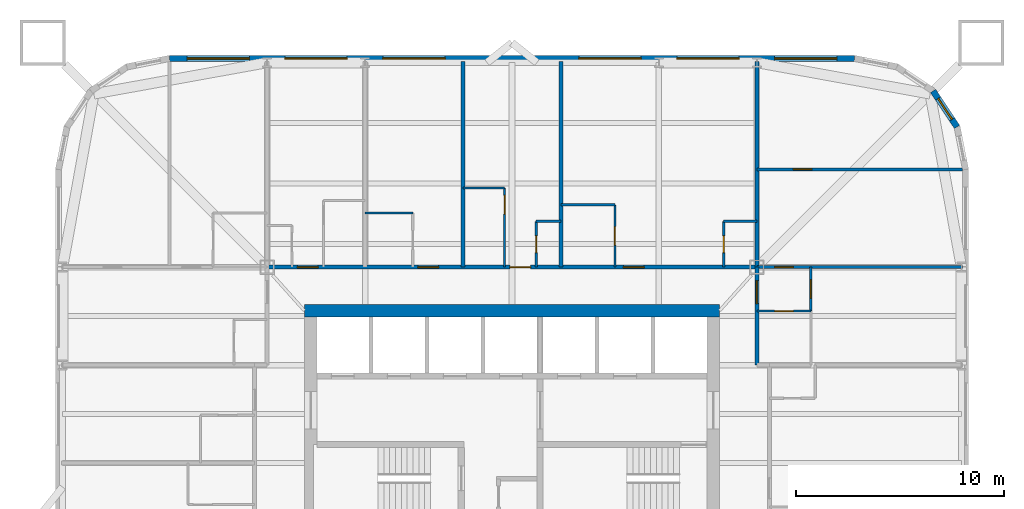
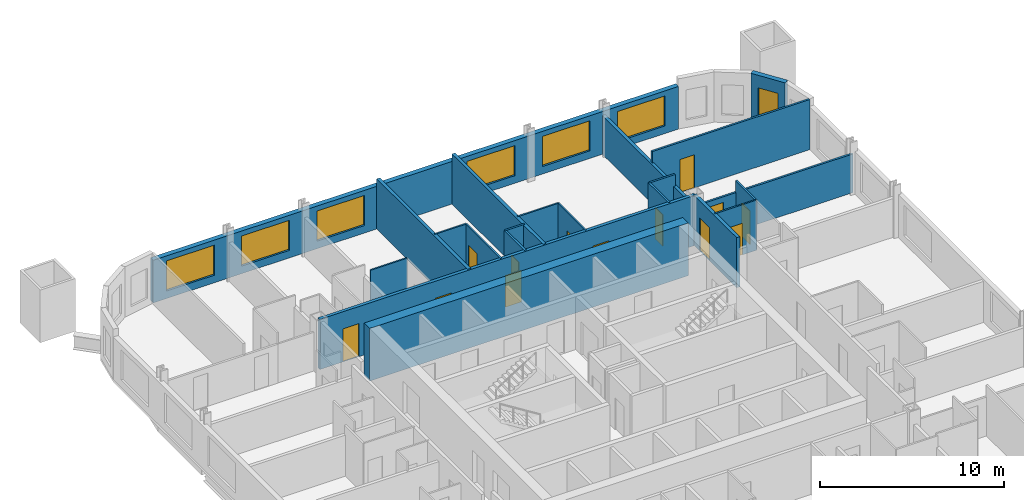
# One storey, part 7 of 9: 21 walls, 13 doors, 7 windows, 20 openings.
"""IFC4 building model written with IfcOpenShell, lengths in metres."""

import ifcopenshell
import ifcopenshell.guid

model = None  # the IFC model being written
_history = None  # IfcOwnerHistory: only IFC2X3 demands one
_inside = {}  # id of a spatial element -> (the spatial element, [elements in it])
_under = {}  # id of a project, library or spatial element -> (it, [spatial elements below it])
_declared = {}  # id of a project -> (the project, [libraries it declares])
_typed = {}  # id of a type object -> (the type object, [elements of that type])
_made_of = {}  # id of a material, layer set ... -> (it, [elements and type objects made of it])


def new_model(schema):
    """Start an empty IFC model of exactly this schema.

    Asked for "IFC4X3", IfcOpenShell would pick the latest addendum, in which some entities
    have other attributes; the version numbers below select the first issue.
    IFC2X3 requires an IfcOwnerHistory on every rooted entity: one is made here for all.
    """
    global model, _history
    if schema == "IFC4X3":
        model = ifcopenshell.file(schema_version=(4, 3, 0, 0))
    else:
        model = ifcopenshell.file(schema=schema)
    _inside.clear()
    _under.clear()
    _declared.clear()
    _typed.clear()
    _made_of.clear()
    _history = None
    if model.schema == "IFC2X3":
        org = make("IfcOrganization", Name="unknown")
        user = make(
            "IfcPersonAndOrganization",
            ThePerson=make("IfcPerson", FamilyName="unknown"),
            TheOrganization=org,
        )
        app = make(
            "IfcApplication",
            ApplicationDeveloper=org,
            Version="unknown",
            ApplicationFullName="unknown",
            ApplicationIdentifier="unknown",
        )
        _history = make(
            "IfcOwnerHistory",
            OwningUser=user,
            OwningApplication=app,
            ChangeAction="ADDED",
            CreationDate=0,
        )
    return model


def make(cls, **values):
    """One entity of the class cls with the attributes given. An attribute that is None is left unset."""
    return model.create_entity(
        cls, **{name: value for name, value in values.items() if value is not None}
    )


def rooted(cls, **values):
    """An entity with a GlobalId (a new one), such as an element, a storey or a relation."""
    return make(cls, GlobalId=ifcopenshell.guid.new(), OwnerHistory=_history, **values)


def si_unit(unit_type, name, prefix=None):
    """IfcSIUnit, for example si_unit("LENGTHUNIT", "METRE", prefix="MILLI")."""
    return make("IfcSIUnit", UnitType=unit_type, Prefix=prefix, Name=name)


def assignment(units):
    """IfcUnitAssignment: the units of a project."""
    return None if units is None else make("IfcUnitAssignment", Units=units)


def point(xyz):
    """IfcCartesianPoint."""
    return None if xyz is None else make("IfcCartesianPoint", Coordinates=xyz)


def direction(xyz):
    """IfcDirection."""
    return None if xyz is None else make("IfcDirection", DirectionRatios=xyz)


def frame(location, z_axis=None, x_axis=None):
    """IfcAxis2Placement3D, a coordinate frame: its origin and axes. An axis left out is left unset."""
    return make(
        "IfcAxis2Placement3D",
        Location=point(location),
        Axis=direction(z_axis),
        RefDirection=direction(x_axis),
    )


def frame_2d(location, x_axis=None):
    """IfcAxis2Placement2D, a coordinate frame in the plane: its origin and x axis."""
    return make(
        "IfcAxis2Placement2D", Location=point(location), RefDirection=direction(x_axis)
    )


def origin():
    """The frame at (0, 0, 0) with its axes left unset."""
    return frame((0.0, 0.0, 0.0))


def place(relative_to, where):
    """IfcLocalPlacement: puts the frame where relative to a parent placement (None: the world)."""
    return make(
        "IfcLocalPlacement", PlacementRelTo=relative_to, RelativePlacement=where
    )


def context(
    kind, dimensions, precision=None, world=None, true_north=None, identifier=None
):
    """IfcGeometricRepresentationContext, for example the 3D "Model" context."""
    return make(
        "IfcGeometricRepresentationContext",
        ContextIdentifier=identifier,
        ContextType=kind,
        CoordinateSpaceDimension=dimensions,
        Precision=precision,
        WorldCoordinateSystem=world,
        TrueNorth=true_north,
    )


def subcontext(parent, identifier, kind, view, scale=None):
    """IfcGeometricRepresentationSubContext, for example "Body" below "Model"."""
    return make(
        "IfcGeometricRepresentationSubContext",
        ContextIdentifier=identifier,
        ContextType=kind,
        ParentContext=parent,
        TargetScale=scale,
        TargetView=view,
    )


def project(units=None, contexts=None):
    """IfcProject with its units and contexts."""
    return rooted(
        "IfcProject",
        Name="project",
        RepresentationContexts=contexts,
        UnitsInContext=assignment(units),
    )


def spatial(cls, under=None, at=None, **own):
    """A site, building, storey or space (cls), placed at a placement, below another one or the project."""
    s = rooted(cls, ObjectPlacement=at, **own)
    if under is not None:
        _under.setdefault(under.id(), (under, []))[1].append(s)
    return s


def profile(cls, at=None, kind="AREA", **sizes):
    """A parametric profile (cls). Its sizes go by their IFC names, for example OverallWidth=200.0."""
    return make(cls, ProfileType=kind, Position=at, **sizes)


def rectangle(**sizes):
    """IfcRectangleProfileDef."""
    return profile("IfcRectangleProfileDef", **sizes)


def extrude(swept, where, along, depth):
    """IfcExtrudedAreaSolid: the profile swept, set in the frame where, extruded along a direction by depth."""
    return make(
        "IfcExtrudedAreaSolid",
        SweptArea=swept,
        Position=where,
        ExtrudedDirection=direction(along),
        Depth=depth,
    )


def shape(context_of_items, identifier, shape_type, items):
    """IfcShapeRepresentation: the items that make up one representation, for example the "Body"."""
    return make(
        "IfcShapeRepresentation",
        ContextOfItems=context_of_items,
        RepresentationIdentifier=identifier,
        RepresentationType=shape_type,
        Items=items,
    )


def material(Name=None, Category=None):
    """IfcMaterial."""
    return make("IfcMaterial", Name=Name, Category=Category)


def layer(
    of_material, thickness, ventilated=None, Name=None, Category=None, Priority=None
):
    """IfcMaterialLayer: one layer of a wall or slab, of a material (None: an air gap)."""
    return make(
        "IfcMaterialLayer",
        Material=of_material,
        LayerThickness=thickness,
        IsVentilated=ventilated,
        Name=Name,
        Category=Category,
        Priority=Priority,
    )


def layer_set(layers, Name=None):
    """IfcMaterialLayerSet."""
    return make("IfcMaterialLayerSet", MaterialLayers=layers, LayerSetName=Name)


def made_of(thing, what):
    """Note that an element or type object is made of a material, layer set ...; save() writes the relation."""
    if what is not None:
        _made_of.setdefault(what.id(), (what, []))[1].append(thing)
    return thing


def type_object(cls, material=None, **own):
    """A type object (cls), such as IfcWallType, which elements share."""
    return made_of(rooted(cls, **own), material)


def element(
    cls,
    number,
    at=None,
    inside=None,
    cuts=None,
    type_object=None,
    material=None,
    context=None,
    identifier="Body",
    shape_type=None,
    held_by="IfcProductDefinitionShape",
    body=None,
    shapes=None,
    **own,
):
    """One element of the class cls, such as IfcWall. Its Tag is "e" and its number.

    at: its placement. inside: the storey or other place that contains it. cuts: it is an
    opening in that element (IfcRelVoidsElement). A single representation is given by context,
    identifier, shape_type and body (its items); several are given by shapes. held_by: the class
    of the entity that holds the representations. save() writes the other relations.
    """
    e = rooted(cls, Tag="e%d" % number, ObjectPlacement=at, **own)
    if body is not None:
        shapes = [shape(context, identifier, shape_type, body)]
    if shapes is not None:
        e.Representation = make(held_by, Representations=shapes)
    if inside is not None:
        _inside.setdefault(inside.id(), (inside, []))[1].append(e)
    if cuts is not None:
        rooted(
            "IfcRelVoidsElement", RelatingBuildingElement=cuts, RelatedOpeningElement=e
        )
    if type_object is not None:
        _typed.setdefault(type_object.id(), (type_object, []))[1].append(e)
    return made_of(e, material)


def fill(opening, filler):
    """IfcRelFillsElement: the door or window that sits in an opening."""
    return rooted(
        "IfcRelFillsElement",
        RelatingOpeningElement=opening,
        RelatedBuildingElement=filler,
    )


def aggregate(whole, parts):
    """IfcRelAggregates: a whole, such as a stair, and the parts it consists of."""
    return rooted("IfcRelAggregates", RelatingObject=whole, RelatedObjects=parts)


def save(model, path):
    """Write the relations noted so far, then the file.

    IfcRelAggregates (storeys below a building ...), IfcRelContainedInSpatialStructure (elements
    in a storey), IfcRelDefinesByType, IfcRelAssociatesMaterial and IfcRelDeclares: one each for
    every whole, place, type object, material and project.
    """
    for whole, parts in _under.values():
        aggregate(whole, parts)
    for where, things in _inside.values():
        rooted(
            "IfcRelContainedInSpatialStructure",
            RelatedElements=things,
            RelatingStructure=where,
        )
    for kind, things in _typed.values():
        rooted("IfcRelDefinesByType", RelatedObjects=things, RelatingType=kind)
    for what, things in _made_of.values():
        rooted("IfcRelAssociatesMaterial", RelatedObjects=things, RelatingMaterial=what)
    for by, libraries in _declared.values():
        rooted("IfcRelDeclares", RelatingContext=by, RelatedDefinitions=libraries)
    model.write(path)


model = new_model("IFC4")

# Units and contexts
model_context = context("Model", 3, precision=1e-05, world=origin(), true_north=direction((0.0, 1.0)))
body_context = subcontext(model_context, "Body", "Model", "MODEL_VIEW")
ifc_project = project(units=[si_unit("LENGTHUNIT", "METRE"), si_unit("AREAUNIT", "SQUARE_METRE"), si_unit("VOLUMEUNIT", "CUBIC_METRE"), si_unit("PLANEANGLEUNIT", "RADIAN"), si_unit("MASSUNIT", "GRAM", prefix="KILO")], contexts=[model_context])

# Site, building, storey
site_placement = place(None, origin())
site = spatial("IfcSite", under=ifc_project, at=site_placement, CompositionType="ELEMENT")
building_placement = place(site_placement, origin())
building = spatial("IfcBuilding", under=site, at=building_placement, Name="Turquesa Mirador Hotel Tower", CompositionType="ELEMENT")
storey_placement = place(building_placement, frame((0.0, 0.0, 56.5)))
storey = spatial("IfcBuildingStorey", under=building, at=storey_placement, Name="L14", CompositionType="ELEMENT", Elevation=56.5)

# Walls
ifc_material_1 = material(Name="Gypsum board on steel studs", Category="steel")
ifc_layer_1 = layer(ifc_material_1, 0.10009765625)
ifc_layer_set_1 = layer_set([ifc_layer_1], Name="BATHROOM WALL 100")
wall_type_1 = type_object("IfcWallType", Name="BATHROOM WALL 100", PredefinedType="PARTITIONING", material=ifc_layer_set_1)
wall_1_placement = place(storey_placement, frame((47.919921875, 59.39990234375, 0.0), z_axis=(0.0, 0.0, 1.0), x_axis=(1.0, 0.0, 0.0)))
element("IfcWall", 1, at=wall_1_placement, inside=storey, type_object=wall_type_1, Name="Partition L14 033", PredefinedType="PARTITIONING", context=body_context, shape_type="SweptSolid", body=[
    extrude(rectangle(XDim=2.300048828125, YDim=0.10009765625, at=frame_2d((1.14990234375, 0.0))), origin(), (0.0, 0.0, 1.0), 3.330078125),
])
wall_2_placement = place(storey_placement, frame((57.360107421875, 59.800048828125, 0.0), z_axis=(0.0, 0.0, 1.0), x_axis=(1.0, 0.0, 0.0)))
element("IfcWall", 2, at=wall_2_placement, inside=storey, type_object=wall_type_1, Name="Partition L14 034", PredefinedType="PARTITIONING", context=body_context, shape_type="SweptSolid", body=[
    extrude(rectangle(XDim=2.599853515625, YDim=0.10009765625, at=frame_2d((1.2998046875, 0.0))), origin(), (0.0, 0.0, 1.0), 3.330078125),
])
wall_3_placement = place(storey_placement, frame((52.639892578125, 60.60009765625, 0.0), z_axis=(0.0, 0.0, 1.0), x_axis=(1.0, 0.0, 0.0)))
element("IfcWall", 3, at=wall_3_placement, inside=storey, type_object=wall_type_1, Name="Partition L14 036", PredefinedType="PARTITIONING", context=body_context, shape_type="SweptSolid", body=[
    extrude(rectangle(XDim=2.0, YDim=0.10009765625, at=frame_2d((1.0, 0.0))), origin(), (0.0, 0.0, 1.0), 3.330078125),
])

# Wall, opening, door
wall_4_placement = place(storey_placement, frame((66.800048828125, 54.679931640625, 0.0), z_axis=(0.0, 0.0, 1.0), x_axis=(1.0, 0.0, 0.0)))
wall_4 = element("IfcWall", 4, at=wall_4_placement, inside=storey, type_object=wall_type_1, Name="Partition L14 047", PredefinedType="PARTITIONING", context=body_context, shape_type="SweptSolid", body=[
    extrude(rectangle(XDim=2.599853515625, YDim=0.10009765625, at=frame_2d((1.2998046875, 0.0))), origin(), (0.0, 0.0, 1.0), 3.330078125),
])
opening_1_placement = place(wall_4_placement, frame((0.85009765625, 0.0, 0.0)))
opening_1 = element("IfcOpeningElement", 5, at=opening_1_placement, cuts=wall_4, Name="Opening D02", PredefinedType="OPENING", context=body_context, shape_type="SweptSolid", body=[
    extrude(rectangle(XDim=0.89990234375, YDim=2.10009765625, at=frame_2d((0.449951171875, 1.050048828125))), frame((0.0, 0.06005859375, 0.0), z_axis=(0.0, -1.0, 0.0), x_axis=(1.0, 0.0, 0.0)), (0.0, 0.0, 1.0), 0.1201171875),
])
ifc_material_2 = material(Name="Timber veneered door", Category="wood")
door_type_1 = type_object("IfcDoorType", Name="DOOR 900X2100 EN-SUITE", OperationType="SINGLE_SWING_RIGHT", PredefinedType="DOOR", material=ifc_material_2)
door_1_placement = place(opening_1_placement, origin())
door_1 = element("IfcDoor", 6, at=door_1_placement, inside=storey, type_object=door_type_1, Name="Door 1413B", OperationType="SINGLE_SWING_RIGHT", OverallHeight=2.10009765625, OverallWidth=0.89990234375, PredefinedType="DOOR", context=body_context, shape_type="SweptSolid", body=[
    extrude(rectangle(XDim=0.89990234375, YDim=2.10009765625, at=frame_2d((0.449951171875, 1.050048828125))), frame((0.0, 0.02490234375, 0.0), z_axis=(0.0, -1.0, 0.0), x_axis=(1.0, 0.0, 0.0)), (0.0, 0.0, 1.0), 0.050048828125),
])
fill(opening_1, door_1)

wall_5_placement = place(storey_placement, frame((54.639892578125, 56.800048828125, 0.0), z_axis=(0.0, 0.0, 1.0), x_axis=(0.0, 1.0, 0.0)))
wall_5 = element("IfcWall", 7, at=wall_5_placement, inside=storey, type_object=wall_type_1, Name="Partition L14 048", PredefinedType="PARTITIONING", context=body_context, shape_type="SweptSolid", body=[
    extrude(rectangle(XDim=3.800048828125, YDim=0.10009765625, at=frame_2d((1.89990234375, 0.0))), origin(), (0.0, 0.0, 1.0), 3.330078125),
])
opening_2_placement = place(wall_5_placement, frame((2.550048828125, 0.0, 0.0)))
opening_2 = element("IfcOpeningElement", 8, at=opening_2_placement, cuts=wall_5, Name="Opening D02", PredefinedType="OPENING", context=body_context, shape_type="SweptSolid", body=[
    extrude(rectangle(XDim=0.89990234375, YDim=2.10009765625, at=frame_2d((0.449951171875, 1.050048828125))), frame((0.0, 0.06005859375, 0.0), z_axis=(0.0, -1.0, 0.0), x_axis=(1.0, 0.0, 0.0)), (0.0, 0.0, 1.0), 0.1201171875),
])
door_2_placement = place(opening_2_placement, origin())
door_2 = element("IfcDoor", 9, at=door_2_placement, inside=storey, type_object=door_type_1, Name="Door 1403B", OperationType="SINGLE_SWING_RIGHT", OverallHeight=2.10009765625, OverallWidth=0.89990234375, PredefinedType="DOOR", context=body_context, shape_type="SweptSolid", body=[
    extrude(rectangle(XDim=0.89990234375, YDim=2.10009765625, at=frame_2d((0.449951171875, 1.050048828125))), frame((0.0, 0.02490234375, 0.0), z_axis=(0.0, -1.0, 0.0), x_axis=(1.0, 0.0, 0.0)), (0.0, 0.0, 1.0), 0.050048828125),
])
fill(opening_2, door_2)

wall_6_placement = place(storey_placement, frame((59.9599609375, 56.800048828125, 0.0), z_axis=(0.0, 0.0, 1.0), x_axis=(0.0, 1.0, 0.0)))
wall_6 = element("IfcWall", 10, at=wall_6_placement, inside=storey, type_object=wall_type_1, Name="Partition L14 089", PredefinedType="PARTITIONING", context=body_context, shape_type="SweptSolid", body=[
    extrude(rectangle(XDim=3.0, YDim=0.10009765625, at=frame_2d((1.5, 0.0))), origin(), (0.0, 0.0, 1.0), 3.330078125),
])
opening_3_placement = place(wall_6_placement, frame((1.050048828125, 0.0, 0.0)))
opening_3 = element("IfcOpeningElement", 11, at=opening_3_placement, cuts=wall_6, Name="Opening D02", PredefinedType="OPENING", context=body_context, shape_type="SweptSolid", body=[
    extrude(rectangle(XDim=0.89990234375, YDim=2.10009765625, at=frame_2d((0.449951171875, 1.050048828125))), frame((0.0, 0.06005859375, 0.0), z_axis=(0.0, -1.0, 0.0), x_axis=(1.0, 0.0, 0.0)), (0.0, 0.0, 1.0), 0.1201171875),
])
door_3_placement = place(opening_3_placement, origin())
door_3 = element("IfcDoor", 12, at=door_3_placement, inside=storey, type_object=door_type_1, Name="Door 1404B", OperationType="SINGLE_SWING_RIGHT", OverallHeight=2.10009765625, OverallWidth=0.89990234375, PredefinedType="DOOR", context=body_context, shape_type="SweptSolid", body=[
    extrude(rectangle(XDim=0.89990234375, YDim=2.10009765625, at=frame_2d((0.449951171875, 1.050048828125))), frame((0.0, 0.02490234375, 0.0), z_axis=(0.0, -1.0, 0.0), x_axis=(1.0, 0.0, 0.0)), (0.0, 0.0, 1.0), 0.050048828125),
])
fill(opening_3, door_3)

# Wall
ifc_material_3 = material(Name="Concrete C50/60", Category="concrete")
ifc_layer_2 = layer(ifc_material_3, 0.60009765625)
ifc_layer_set_2 = layer_set([ifc_layer_2], Name="CORE WALL 600")
wall_type_2 = type_object("IfcWallType", Name="CORE WALL 600", PredefinedType="SHEAR", material=ifc_layer_set_2)
wall_7_placement = place(storey_placement, frame((45.0, 54.699951171875, 0.0), z_axis=(0.0, 0.0, 1.0), x_axis=(1.0, 0.0, 0.0)))
element("IfcWall", 13, at=wall_7_placement, inside=storey, type_object=wall_type_2, Name="Core wall N", PredefinedType="SHEAR", context=body_context, shape_type="SweptSolid", body=[
    extrude(rectangle(XDim=20.0, YDim=0.60009765625, at=frame_2d((10.0, 0.0))), origin(), (0.0, 0.0, 1.0), 3.5),
])

# Wall, openings, doors
ifc_material_4 = material(Name="Fire-rated gypsum board on steel studs", Category="steel")
ifc_layer_3 = layer(ifc_material_4, 0.199951171875)
ifc_layer_set_3 = layer_set([ifc_layer_3], Name="CORRIDOR WALL 200")
wall_type_3 = type_object("IfcWallType", Name="CORRIDOR WALL 200", PredefinedType="PARTITIONING", material=ifc_layer_set_3)
wall_8_placement = place(storey_placement, frame((43.199951171875, 56.800048828125, 0.0), z_axis=(0.0, 0.0, 1.0), x_axis=(1.0, 0.0, 0.0)))
wall_8 = element("IfcWall", 14, at=wall_8_placement, inside=storey, type_object=wall_type_3, Name="Partition L14 026", PredefinedType="PARTITIONING", context=body_context, shape_type="SweptSolid", body=[
    extrude(rectangle(XDim=23.60009765625, YDim=0.199951171875, at=frame_2d((11.800048828125, 0.0))), origin(), (0.0, 0.0, 1.0), 3.330078125),
])
opening_4_placement = place(wall_8_placement, frame((1.4599609375, 0.0, 0.0)))
opening_4 = element("IfcOpeningElement", 15, at=opening_4_placement, cuts=wall_8, Name="Opening D01", PredefinedType="OPENING", context=body_context, shape_type="SweptSolid", body=[
    extrude(rectangle(XDim=1.0, YDim=2.199951171875, at=frame_2d((0.5, 1.10009765625))), frame((0.0, 0.10986328125, 0.0), z_axis=(0.0, -1.0, 0.0), x_axis=(1.0, 0.0, 0.0)), (0.0, 0.0, 1.0), 0.219970703125),
])
opening_5_placement = place(wall_8_placement, frame((7.27001953125, 0.0, 0.0)))
opening_5 = element("IfcOpeningElement", 16, at=opening_5_placement, cuts=wall_8, Name="Opening D01", PredefinedType="OPENING", context=body_context, shape_type="SweptSolid", body=[
    extrude(rectangle(XDim=1.0, YDim=2.199951171875, at=frame_2d((0.5, 1.10009765625))), frame((0.0, 0.10986328125, 0.0), z_axis=(0.0, -1.0, 0.0), x_axis=(1.0, 0.0, 0.0)), (0.0, 0.0, 1.0), 0.219970703125),
])
opening_6_placement = place(wall_8_placement, frame((11.699951171875, 0.0, 0.0)))
opening_6 = element("IfcOpeningElement", 17, at=opening_6_placement, cuts=wall_8, Name="Opening D05", PredefinedType="OPENING", context=body_context, shape_type="SweptSolid", body=[
    extrude(rectangle(XDim=1.0, YDim=2.10009765625, at=frame_2d((0.5, 1.050048828125))), frame((0.0, 0.10986328125, 0.0), z_axis=(0.0, -1.0, 0.0), x_axis=(1.0, 0.0, 0.0)), (0.0, 0.0, 1.0), 0.219970703125),
])
opening_7_placement = place(wall_8_placement, frame((17.159912109375, 0.0, 0.0)))
opening_7 = element("IfcOpeningElement", 18, at=opening_7_placement, cuts=wall_8, Name="Opening D01", PredefinedType="OPENING", context=body_context, shape_type="SweptSolid", body=[
    extrude(rectangle(XDim=1.0, YDim=2.199951171875, at=frame_2d((0.5, 1.10009765625))), frame((0.0, 0.10986328125, 0.0), z_axis=(0.0, -1.0, 0.0), x_axis=(1.0, 0.0, 0.0)), (0.0, 0.0, 1.0), 0.219970703125),
])
ifc_material_5 = material(Name="Steel fire door", Category="steel")
door_type_2 = type_object("IfcDoorType", Name="DOOR 1000X2100 SERVICE", OperationType="SINGLE_SWING_LEFT", PredefinedType="DOOR", material=ifc_material_5)
door_4_placement = place(opening_6_placement, origin())
door_4 = element("IfcDoor", 19, at=door_4_placement, inside=storey, type_object=door_type_2, Name="Door 1403", OperationType="SINGLE_SWING_LEFT", OverallHeight=2.10009765625, OverallWidth=1.0, PredefinedType="DOOR", context=body_context, shape_type="SweptSolid", body=[
    extrude(rectangle(XDim=1.0, YDim=2.10009765625, at=frame_2d((0.5, 1.050048828125))), frame((0.0, 0.02490234375, 0.0), z_axis=(0.0, -1.0, 0.0), x_axis=(1.0, 0.0, 0.0)), (0.0, 0.0, 1.0), 0.050048828125),
])
fill(opening_6, door_4)
ifc_material_6 = material(Name="Timber veneered fire door", Category="wood")
door_type_3 = type_object("IfcDoorType", Name="DOOR 1000X2200 GUEST ENTRY", OperationType="SINGLE_SWING_LEFT", PredefinedType="DOOR", material=ifc_material_6)
door_5_placement = place(opening_4_placement, origin())
door_5 = element("IfcDoor", 20, at=door_5_placement, inside=storey, type_object=door_type_3, Name="Door 1401", OperationType="SINGLE_SWING_LEFT", OverallHeight=2.199951171875, OverallWidth=1.0, PredefinedType="DOOR", context=body_context, shape_type="SweptSolid", body=[
    extrude(rectangle(XDim=1.0, YDim=2.199951171875, at=frame_2d((0.5, 1.10009765625))), frame((0.0, 0.02490234375, 0.0), z_axis=(0.0, -1.0, 0.0), x_axis=(1.0, 0.0, 0.0)), (0.0, 0.0, 1.0), 0.050048828125),
])
fill(opening_4, door_5)
door_6_placement = place(opening_5_placement, origin())
door_6 = element("IfcDoor", 21, at=door_6_placement, inside=storey, type_object=door_type_3, Name="Door 1402", OperationType="SINGLE_SWING_LEFT", OverallHeight=2.199951171875, OverallWidth=1.0, PredefinedType="DOOR", context=body_context, shape_type="SweptSolid", body=[
    extrude(rectangle(XDim=1.0, YDim=2.199951171875, at=frame_2d((0.5, 1.10009765625))), frame((0.0, 0.02490234375, 0.0), z_axis=(0.0, -1.0, 0.0), x_axis=(1.0, 0.0, 0.0)), (0.0, 0.0, 1.0), 0.050048828125),
])
fill(opening_5, door_6)
door_7_placement = place(opening_7_placement, origin())
door_7 = element("IfcDoor", 22, at=door_7_placement, inside=storey, type_object=door_type_3, Name="Door 1404", OperationType="SINGLE_SWING_LEFT", OverallHeight=2.199951171875, OverallWidth=1.0, PredefinedType="DOOR", context=body_context, shape_type="SweptSolid", body=[
    extrude(rectangle(XDim=1.0, YDim=2.199951171875, at=frame_2d((0.5, 1.10009765625))), frame((0.0, 0.02490234375, 0.0), z_axis=(0.0, -1.0, 0.0), x_axis=(1.0, 0.0, 0.0)), (0.0, 0.0, 1.0), 0.050048828125),
])
fill(opening_7, door_7)

# Wall, opening, door
wall_9_placement = place(storey_placement, frame((66.800048828125, 52.080078125, 0.0), z_axis=(0.0, 0.0, 1.0), x_axis=(0.0, 1.0, 0.0)))
wall_9 = element("IfcWall", 23, at=wall_9_placement, inside=storey, type_object=wall_type_3, Name="Partition L14 075", PredefinedType="PARTITIONING", context=body_context, shape_type="SweptSolid", body=[
    extrude(rectangle(XDim=4.719970703125, YDim=0.199951171875, at=frame_2d((2.35986328125, 0.0))), origin(), (0.0, 0.0, 1.0), 3.330078125),
])
opening_8_placement = place(wall_9_placement, frame((2.9599609375, 0.0, 0.0)))
opening_8 = element("IfcOpeningElement", 24, at=opening_8_placement, cuts=wall_9, Name="Opening D15", PredefinedType="OPENING", context=body_context, shape_type="SweptSolid", body=[
    extrude(rectangle(XDim=1.10009765625, YDim=2.199951171875, at=frame_2d((0.550048828125, 1.10009765625))), frame((0.0, 0.10986328125, 0.0), z_axis=(0.0, -1.0, 0.0), x_axis=(1.0, 0.0, 0.0)), (0.0, 0.0, 1.0), 0.219970703125),
])
ifc_material_7 = material(Name="Timber veneered fire door", Category="wood")
door_type_4 = type_object("IfcDoorType", Name="DOOR 1100X2200 SUITE ENTRY", OperationType="SINGLE_SWING_LEFT", PredefinedType="DOOR", material=ifc_material_7)
door_8_placement = place(opening_8_placement, origin())
door_8 = element("IfcDoor", 25, at=door_8_placement, inside=storey, type_object=door_type_4, Name="Door 1413H", OperationType="SINGLE_SWING_LEFT", OverallHeight=2.199951171875, OverallWidth=1.10009765625, PredefinedType="DOOR", context=body_context, shape_type="SweptSolid", body=[
    extrude(rectangle(XDim=1.10009765625, YDim=2.199951171875, at=frame_2d((0.550048828125, 1.10009765625))), frame((0.0, 0.02490234375, 0.0), z_axis=(0.0, -1.0, 0.0), x_axis=(1.0, 0.0, 0.0)), (0.0, 0.0, 1.0), 0.050048828125),
])
fill(opening_8, door_8)

# Wall, opening, window
ifc_material_8 = material(Name="Limestone cladding on concrete block", Category="masonry")
ifc_layer_4 = layer(ifc_material_8, 0.300048828125)
ifc_layer_set_4 = layer_set([ifc_layer_4], Name="FACADE WALL 300 STONE SCREEN")
wall_type_4 = type_object("IfcWallType", Name="FACADE WALL 300 STONE SCREEN", PredefinedType="SOLIDWALL", material=ifc_layer_set_4)
wall_10_placement = place(storey_placement, frame((76.44287109375, 63.54736328125, 0.0), z_axis=(0.0, 0.0, 1.0), x_axis=(-0.555644460423, 0.831420010345, 0.0)))
wall_10 = element("IfcWall", 26, at=wall_10_placement, inside=storey, type_object=wall_type_4, Name="Facade wall L14 06", PredefinedType="SOLIDWALL", context=body_context, shape_type="SweptSolid", body=[
    extrude(rectangle(XDim=2.08740234375, YDim=0.300048828125, at=frame_2d((1.043701171875, 0.0))), origin(), (0.0, 0.0, 1.0), 3.330078125),
])
opening_9_placement = place(wall_10_placement, frame((0.443603515625, 0.0, 0.5)))
opening_9 = element("IfcOpeningElement", 27, at=opening_9_placement, cuts=wall_10, Name="Opening WN4", PredefinedType="OPENING", context=body_context, shape_type="SweptSolid", body=[
    extrude(rectangle(XDim=1.199951171875, YDim=2.0, at=frame_2d((0.60009765625, 1.0))), frame((0.0, 0.159912109375, 0.0), z_axis=(0.0, -1.0, 0.0), x_axis=(1.0, 0.0, 0.0)), (0.0, 0.0, 1.0), 0.320068359375),
])
ifc_material_9 = material(Name="Ceramic-fritted laminated glass", Category="glass")
window_type_1 = type_object("IfcWindowType", Name="FRITTED CORNER WINDOW 1200X2000", PartitioningType="DOUBLE_PANEL_HORIZONTAL", PredefinedType="WINDOW", material=ifc_material_9)
window_1_placement = place(opening_9_placement, origin())
window_1 = element("IfcWindow", 28, at=window_1_placement, inside=storey, type_object=window_type_1, Name="Window L14", OverallHeight=2.0, OverallWidth=1.199951171875, PartitioningType="SINGLE_PANEL", PredefinedType="WINDOW", context=body_context, shape_type="SweptSolid", body=[
    extrude(rectangle(XDim=1.199951171875, YDim=2.0, at=frame_2d((0.60009765625, 1.0))), frame((0.0, 0.030029296875, 0.0), z_axis=(0.0, -1.0, 0.0), x_axis=(1.0, 0.0, 0.0)), (0.0, 0.0, 1.0), 0.06005859375),
])
fill(opening_9, window_1)

# Wall, openings, windows
wall_11_placement = place(storey_placement, frame((71.5, 66.85009765625, 0.0), z_axis=(0.0, 0.0, 1.0), x_axis=(-1.0, 0.0, 0.0)))
wall_11 = element("IfcWall", 29, at=wall_11_placement, inside=storey, type_object=wall_type_4, Name="Facade wall L14 09", PredefinedType="SOLIDWALL", context=body_context, shape_type="SweptSolid", body=[
    extrude(rectangle(XDim=33.0, YDim=0.300048828125, at=frame_2d((16.5, 0.0))), origin(), (0.0, 0.0, 1.0), 2.830078125),
])
opening_10_placement = place(wall_11_placement, frame((0.85009765625, 0.0, 0.5)))
opening_10 = element("IfcOpeningElement", 30, at=opening_10_placement, cuts=wall_11, Name="Opening WN1", PredefinedType="OPENING", context=body_context, shape_type="SweptSolid", body=[
    extrude(rectangle(XDim=3.0, YDim=2.0, at=frame_2d((1.5, 1.0))), frame((0.0, 0.159912109375, 0.0), z_axis=(0.0, -1.0, 0.0), x_axis=(1.0, 0.0, 0.0)), (0.0, 0.0, 1.0), 0.320068359375),
])
opening_11_placement = place(wall_11_placement, frame((5.56005859375, 0.0, 0.5)))
opening_11 = element("IfcOpeningElement", 31, at=opening_11_placement, cuts=wall_11, Name="Opening WN1", PredefinedType="OPENING", context=body_context, shape_type="SweptSolid", body=[
    extrude(rectangle(XDim=3.0, YDim=2.0, at=frame_2d((1.5, 1.0))), frame((0.0, 0.159912109375, 0.0), z_axis=(0.0, -1.0, 0.0), x_axis=(1.0, 0.0, 0.0)), (0.0, 0.0, 1.0), 0.320068359375),
])
opening_12_placement = place(wall_11_placement, frame((10.280029296875, 0.0, 0.5)))
opening_12 = element("IfcOpeningElement", 32, at=opening_12_placement, cuts=wall_11, Name="Opening WN1", PredefinedType="OPENING", context=body_context, shape_type="SweptSolid", body=[
    extrude(rectangle(XDim=3.0, YDim=2.0, at=frame_2d((1.5, 1.0))), frame((0.0, 0.159912109375, 0.0), z_axis=(0.0, -1.0, 0.0), x_axis=(1.0, 0.0, 0.0)), (0.0, 0.0, 1.0), 0.320068359375),
])
opening_13_placement = place(wall_11_placement, frame((19.719970703125, 0.0, 0.5)))
opening_13 = element("IfcOpeningElement", 33, at=opening_13_placement, cuts=wall_11, Name="Opening WN1", PredefinedType="OPENING", context=body_context, shape_type="SweptSolid", body=[
    extrude(rectangle(XDim=3.0, YDim=2.0, at=frame_2d((1.5, 1.0))), frame((0.0, 0.159912109375, 0.0), z_axis=(0.0, -1.0, 0.0), x_axis=(1.0, 0.0, 0.0)), (0.0, 0.0, 1.0), 0.320068359375),
])
opening_14_placement = place(wall_11_placement, frame((24.43994140625, 0.0, 0.5)))
opening_14 = element("IfcOpeningElement", 34, at=opening_14_placement, cuts=wall_11, Name="Opening WN1", PredefinedType="OPENING", context=body_context, shape_type="SweptSolid", body=[
    extrude(rectangle(XDim=3.0, YDim=2.0, at=frame_2d((1.5, 1.0))), frame((0.0, 0.159912109375, 0.0), z_axis=(0.0, -1.0, 0.0), x_axis=(1.0, 0.0, 0.0)), (0.0, 0.0, 1.0), 0.320068359375),
])
opening_15_placement = place(wall_11_placement, frame((29.14990234375, 0.0, 0.5)))
opening_15 = element("IfcOpeningElement", 35, at=opening_15_placement, cuts=wall_11, Name="Opening WN1", PredefinedType="OPENING", context=body_context, shape_type="SweptSolid", body=[
    extrude(rectangle(XDim=3.0, YDim=2.0, at=frame_2d((1.5, 1.0))), frame((0.0, 0.159912109375, 0.0), z_axis=(0.0, -1.0, 0.0), x_axis=(1.0, 0.0, 0.0)), (0.0, 0.0, 1.0), 0.320068359375),
])
ifc_material_10 = material(Name="Ceramic-fritted laminated glass", Category="glass")
window_type_2 = type_object("IfcWindowType", Name="FRITTED WINDOW 3000X2000", PartitioningType="DOUBLE_PANEL_HORIZONTAL", PredefinedType="WINDOW", material=ifc_material_10)
window_2_placement = place(opening_10_placement, origin())
window_2 = element("IfcWindow", 36, at=window_2_placement, inside=storey, type_object=window_type_2, Name="Window L14", OverallHeight=2.0, OverallWidth=3.0, PartitioningType="SINGLE_PANEL", PredefinedType="WINDOW", context=body_context, shape_type="SweptSolid", body=[
    extrude(rectangle(XDim=3.0, YDim=2.0, at=frame_2d((1.5, 1.0))), frame((0.0, 0.030029296875, 0.0), z_axis=(0.0, -1.0, 0.0), x_axis=(1.0, 0.0, 0.0)), (0.0, 0.0, 1.0), 0.06005859375),
])
fill(opening_10, window_2)
window_3_placement = place(opening_11_placement, origin())
window_3 = element("IfcWindow", 37, at=window_3_placement, inside=storey, type_object=window_type_2, Name="Window L14", OverallHeight=2.0, OverallWidth=3.0, PartitioningType="SINGLE_PANEL", PredefinedType="WINDOW", context=body_context, shape_type="SweptSolid", body=[
    extrude(rectangle(XDim=3.0, YDim=2.0, at=frame_2d((1.5, 1.0))), frame((0.0, 0.030029296875, 0.0), z_axis=(0.0, -1.0, 0.0), x_axis=(1.0, 0.0, 0.0)), (0.0, 0.0, 1.0), 0.06005859375),
])
fill(opening_11, window_3)
window_4_placement = place(opening_12_placement, origin())
window_4 = element("IfcWindow", 38, at=window_4_placement, inside=storey, type_object=window_type_2, Name="Window L14", OverallHeight=2.0, OverallWidth=3.0, PartitioningType="SINGLE_PANEL", PredefinedType="WINDOW", context=body_context, shape_type="SweptSolid", body=[
    extrude(rectangle(XDim=3.0, YDim=2.0, at=frame_2d((1.5, 1.0))), frame((0.0, 0.030029296875, 0.0), z_axis=(0.0, -1.0, 0.0), x_axis=(1.0, 0.0, 0.0)), (0.0, 0.0, 1.0), 0.06005859375),
])
fill(opening_12, window_4)
window_5_placement = place(opening_13_placement, origin())
window_5 = element("IfcWindow", 39, at=window_5_placement, inside=storey, type_object=window_type_2, Name="Window L14", OverallHeight=2.0, OverallWidth=3.0, PartitioningType="SINGLE_PANEL", PredefinedType="WINDOW", context=body_context, shape_type="SweptSolid", body=[
    extrude(rectangle(XDim=3.0, YDim=2.0, at=frame_2d((1.5, 1.0))), frame((0.0, 0.030029296875, 0.0), z_axis=(0.0, -1.0, 0.0), x_axis=(1.0, 0.0, 0.0)), (0.0, 0.0, 1.0), 0.06005859375),
])
fill(opening_13, window_5)
window_6_placement = place(opening_14_placement, origin())
window_6 = element("IfcWindow", 40, at=window_6_placement, inside=storey, type_object=window_type_2, Name="Window L14", OverallHeight=2.0, OverallWidth=3.0, PartitioningType="SINGLE_PANEL", PredefinedType="WINDOW", context=body_context, shape_type="SweptSolid", body=[
    extrude(rectangle(XDim=3.0, YDim=2.0, at=frame_2d((1.5, 1.0))), frame((0.0, 0.030029296875, 0.0), z_axis=(0.0, -1.0, 0.0), x_axis=(1.0, 0.0, 0.0)), (0.0, 0.0, 1.0), 0.06005859375),
])
fill(opening_14, window_6)
window_7_placement = place(opening_15_placement, origin())
window_7 = element("IfcWindow", 41, at=window_7_placement, inside=storey, type_object=window_type_2, Name="Window L14", OverallHeight=2.0, OverallWidth=3.0, PartitioningType="SINGLE_PANEL", PredefinedType="WINDOW", context=body_context, shape_type="SweptSolid", body=[
    extrude(rectangle(XDim=3.0, YDim=2.0, at=frame_2d((1.5, 1.0))), frame((0.0, 0.030029296875, 0.0), z_axis=(0.0, -1.0, 0.0), x_axis=(1.0, 0.0, 0.0)), (0.0, 0.0, 1.0), 0.06005859375),
])
fill(opening_15, window_7)

# Walls
ifc_material_11 = material(Name="Fire-rated gypsum board on steel studs", Category="steel")
ifc_layer_5 = layer(ifc_material_11, 0.199951171875)
ifc_layer_set_5 = layer_set([ifc_layer_5], Name="PARTY WALL 200")
wall_type_5 = type_object("IfcWallType", Name="PARTY WALL 200", PredefinedType="PARTITIONING", material=ifc_layer_set_5)
wall_12_placement = place(storey_placement, frame((52.639892578125, 56.800048828125, 0.0), z_axis=(0.0, 0.0, 1.0), x_axis=(0.0, 1.0, 0.0)))
element("IfcWall", 42, at=wall_12_placement, inside=storey, type_object=wall_type_5, Name="Partition L14 065", PredefinedType="PARTITIONING", context=body_context, shape_type="SweptSolid", body=[
    extrude(rectangle(XDim=9.89990234375, YDim=0.199951171875, at=frame_2d((4.949951171875, 0.0))), origin(), (0.0, 0.0, 1.0), 3.330078125),
])
wall_13_placement = place(storey_placement, frame((66.800048828125, 56.800048828125, 0.0), z_axis=(0.0, 0.0, 1.0), x_axis=(0.0, 1.0, 0.0)))
element("IfcWall", 43, at=wall_13_placement, inside=storey, type_object=wall_type_5, Name="Partition L14 078", PredefinedType="PARTITIONING", context=body_context, shape_type="SweptSolid", body=[
    extrude(rectangle(XDim=9.89990234375, YDim=0.199951171875, at=frame_2d((4.949951171875, 0.0))), origin(), (0.0, 0.0, 1.0), 2.572998046875),
])
wall_14_placement = place(storey_placement, frame((57.360107421875, 56.800048828125, 0.0), z_axis=(0.0, 0.0, 1.0), x_axis=(0.0, 1.0, 0.0)))
element("IfcWall", 44, at=wall_14_placement, inside=storey, type_object=wall_type_5, Name="Partition L14 088", PredefinedType="PARTITIONING", context=body_context, shape_type="SweptSolid", body=[
    extrude(rectangle(XDim=9.89990234375, YDim=0.199951171875, at=frame_2d((4.949951171875, 0.0))), origin(), (0.0, 0.0, 1.0), 3.330078125),
])

# Wall, opening, door
ifc_material_12 = material(Name="Acoustic gypsum board on steel studs", Category="steel")
ifc_layer_6 = layer(ifc_material_12, 0.125)
ifc_layer_set_6 = layer_set([ifc_layer_6], Name="SUITE PARTITION 125")
wall_type_6 = type_object("IfcWallType", Name="SUITE PARTITION 125", PredefinedType="PARTITIONING", material=ifc_layer_set_6)
wall_15_placement = place(storey_placement, frame((66.800048828125, 56.800048828125, 0.0), z_axis=(0.0, 0.0, 1.0), x_axis=(1.0, 0.0, 0.0)))
wall_15 = element("IfcWall", 45, at=wall_15_placement, inside=storey, type_object=wall_type_6, Name="Partition L14 028", PredefinedType="PARTITIONING", context=body_context, shape_type="SweptSolid", body=[
    extrude(rectangle(XDim=9.89990234375, YDim=0.125, at=frame_2d((4.949951171875, 0.0))), origin(), (0.0, 0.0, 1.0), 2.572998046875),
])
opening_16_placement = place(wall_15_placement, frame((0.85009765625, 0.0, 0.0)))
opening_16 = element("IfcOpeningElement", 46, at=opening_16_placement, cuts=wall_15, Name="Opening D17", PredefinedType="OPENING", context=body_context, shape_type="SweptSolid", body=[
    extrude(rectangle(XDim=0.89990234375, YDim=2.199951171875, at=frame_2d((0.449951171875, 1.10009765625))), frame((0.0, 0.072509765625, 0.0), z_axis=(0.0, -1.0, 0.0), x_axis=(1.0, 0.0, 0.0)), (0.0, 0.0, 1.0), 0.14501953125),
])
ifc_material_13 = material(Name="Timber veneered door", Category="wood")
door_type_5 = type_object("IfcDoorType", Name="DOOR 900X2200 SUITE INTERNAL", OperationType="SINGLE_SWING_LEFT", PredefinedType="DOOR", material=ifc_material_13)
door_9_placement = place(opening_16_placement, origin())
door_9 = element("IfcDoor", 47, at=door_9_placement, inside=storey, type_object=door_type_5, Name="Door 1413", OperationType="SINGLE_SWING_LEFT", OverallHeight=2.199951171875, OverallWidth=0.89990234375, PredefinedType="DOOR", context=body_context, shape_type="SweptSolid", body=[
    extrude(rectangle(XDim=0.89990234375, YDim=2.199951171875, at=frame_2d((0.449951171875, 1.10009765625))), frame((0.0, 0.02490234375, 0.0), z_axis=(0.0, -1.0, 0.0), x_axis=(1.0, 0.0, 0.0)), (0.0, 0.0, 1.0), 0.050048828125),
])
fill(opening_16, door_9)

# Walls
wall_16_placement = place(storey_placement, frame((56.159912109375, 59.0, 0.0), z_axis=(0.0, 0.0, 1.0), x_axis=(1.0, 0.0, 0.0)))
element("IfcWall", 48, at=wall_16_placement, inside=storey, type_object=wall_type_6, Name="Partition L14 030", PredefinedType="PARTITIONING", context=body_context, shape_type="SweptSolid", body=[
    extrude(rectangle(XDim=1.2001953125, YDim=0.125, at=frame_2d((0.60009765625, 0.0))), origin(), (0.0, 0.0, 1.0), 3.330078125),
])
wall_17_placement = place(storey_placement, frame((65.199951171875, 59.0, 0.0), z_axis=(0.0, 0.0, 1.0), x_axis=(1.0, 0.0, 0.0)))
element("IfcWall", 49, at=wall_17_placement, inside=storey, type_object=wall_type_6, Name="Partition L14 031", PredefinedType="PARTITIONING", context=body_context, shape_type="SweptSolid", body=[
    extrude(rectangle(XDim=1.60009765625, YDim=0.125, at=frame_2d((0.800048828125, 0.0))), origin(), (0.0, 0.0, 1.0), 3.330078125),
])

# Wall, opening, door
wall_18_placement = place(storey_placement, frame((66.800048828125, 61.5, 0.0), z_axis=(0.0, 0.0, 1.0), x_axis=(1.0, 0.0, 0.0)))
wall_18 = element("IfcWall", 50, at=wall_18_placement, inside=storey, type_object=wall_type_6, Name="Partition L14 037", PredefinedType="PARTITIONING", context=body_context, shape_type="SweptSolid", body=[
    extrude(rectangle(XDim=9.89404296875, YDim=0.125, at=frame_2d((4.947021484375, 0.0))), origin(), (0.0, 0.0, 1.0), 3.330078125),
])
opening_17_placement = place(wall_18_placement, frame((1.75, 0.0, 0.0)))
opening_17 = element("IfcOpeningElement", 51, at=opening_17_placement, cuts=wall_18, Name="Opening D17", PredefinedType="OPENING", context=body_context, shape_type="SweptSolid", body=[
    extrude(rectangle(XDim=0.89990234375, YDim=2.199951171875, at=frame_2d((0.449951171875, 1.10009765625))), frame((0.0, 0.072509765625, 0.0), z_axis=(0.0, -1.0, 0.0), x_axis=(1.0, 0.0, 0.0)), (0.0, 0.0, 1.0), 0.14501953125),
])
door_10_placement = place(opening_17_placement, origin())
door_10 = element("IfcDoor", 52, at=door_10_placement, inside=storey, type_object=door_type_5, Name="Door 1413M", OperationType="SINGLE_SWING_LEFT", OverallHeight=2.199951171875, OverallWidth=0.89990234375, PredefinedType="DOOR", context=body_context, shape_type="SweptSolid", body=[
    extrude(rectangle(XDim=0.89990234375, YDim=2.199951171875, at=frame_2d((0.449951171875, 1.10009765625))), frame((0.0, 0.02490234375, 0.0), z_axis=(0.0, -1.0, 0.0), x_axis=(1.0, 0.0, 0.0)), (0.0, 0.0, 1.0), 0.050048828125),
])
fill(opening_17, door_10)

wall_19_placement = place(storey_placement, frame((56.159912109375, 56.800048828125, 0.0), z_axis=(0.0, 0.0, 1.0), x_axis=(0.0, 1.0, 0.0)))
wall_19 = element("IfcWall", 53, at=wall_19_placement, inside=storey, type_object=wall_type_6, Name="Partition L14 072", PredefinedType="PARTITIONING", context=body_context, shape_type="SweptSolid", body=[
    extrude(rectangle(XDim=2.199951171875, YDim=0.125, at=frame_2d((1.10009765625, 0.0))), origin(), (0.0, 0.0, 1.0), 3.330078125),
])
opening_18_placement = place(wall_19_placement, frame((0.699951171875, 0.0, 0.0)))
opening_18 = element("IfcOpeningElement", 54, at=opening_18_placement, cuts=wall_19, Name="Opening D20", PredefinedType="OPENING", context=body_context, shape_type="SweptSolid", body=[
    extrude(rectangle(XDim=0.800048828125, YDim=2.10009765625, at=frame_2d((0.39990234375, 1.050048828125))), frame((0.0, 0.072509765625, 0.0), z_axis=(0.0, -1.0, 0.0), x_axis=(1.0, 0.0, 0.0)), (0.0, 0.0, 1.0), 0.14501953125),
])
ifc_material_14 = material(Name="Timber veneered sliding door", Category="wood")
door_type_6 = type_object("IfcDoorType", Name="DOOR 800X2100 WARDROBE", OperationType="SLIDING_TO_LEFT", PredefinedType="DOOR", material=ifc_material_14)
door_11_placement = place(opening_18_placement, origin())
door_11 = element("IfcDoor", 55, at=door_11_placement, inside=storey, type_object=door_type_6, Name="Door 1403W", OperationType="SLIDING_TO_LEFT", OverallHeight=2.10009765625, OverallWidth=0.800048828125, PredefinedType="DOOR", context=body_context, shape_type="SweptSolid", body=[
    extrude(rectangle(XDim=0.800048828125, YDim=2.10009765625, at=frame_2d((0.39990234375, 1.050048828125))), frame((0.0, 0.02490234375, 0.0), z_axis=(0.0, -1.0, 0.0), x_axis=(1.0, 0.0, 0.0)), (0.0, 0.0, 1.0), 0.050048828125),
])
fill(opening_18, door_11)

wall_20_placement = place(storey_placement, frame((65.199951171875, 56.800048828125, 0.0), z_axis=(0.0, 0.0, 1.0), x_axis=(0.0, 1.0, 0.0)))
wall_20 = element("IfcWall", 56, at=wall_20_placement, inside=storey, type_object=wall_type_6, Name="Partition L14 073", PredefinedType="PARTITIONING", context=body_context, shape_type="SweptSolid", body=[
    extrude(rectangle(XDim=2.199951171875, YDim=0.125, at=frame_2d((1.10009765625, 0.0))), origin(), (0.0, 0.0, 1.0), 3.330078125),
])
opening_19_placement = place(wall_20_placement, frame((0.699951171875, 0.0, 0.0)))
opening_19 = element("IfcOpeningElement", 57, at=opening_19_placement, cuts=wall_20, Name="Opening D20", PredefinedType="OPENING", context=body_context, shape_type="SweptSolid", body=[
    extrude(rectangle(XDim=0.800048828125, YDim=2.10009765625, at=frame_2d((0.39990234375, 1.050048828125))), frame((0.0, 0.072509765625, 0.0), z_axis=(0.0, -1.0, 0.0), x_axis=(1.0, 0.0, 0.0)), (0.0, 0.0, 1.0), 0.14501953125),
])
door_12_placement = place(opening_19_placement, origin())
door_12 = element("IfcDoor", 58, at=door_12_placement, inside=storey, type_object=door_type_6, Name="Door 1404W", OperationType="SLIDING_TO_LEFT", OverallHeight=2.10009765625, OverallWidth=0.800048828125, PredefinedType="DOOR", context=body_context, shape_type="SweptSolid", body=[
    extrude(rectangle(XDim=0.800048828125, YDim=2.10009765625, at=frame_2d((0.39990234375, 1.050048828125))), frame((0.0, 0.02490234375, 0.0), z_axis=(0.0, -1.0, 0.0), x_axis=(1.0, 0.0, 0.0)), (0.0, 0.0, 1.0), 0.050048828125),
])
fill(opening_19, door_12)

wall_21_placement = place(storey_placement, frame((69.39990234375, 54.679931640625, 0.0), z_axis=(0.0, 0.0, 1.0), x_axis=(0.0, 1.0, 0.0)))
wall_21 = element("IfcWall", 59, at=wall_21_placement, inside=storey, type_object=wall_type_6, Name="Partition L14 083", PredefinedType="PARTITIONING", context=body_context, shape_type="SweptSolid", body=[
    extrude(rectangle(XDim=2.1201171875, YDim=0.125, at=frame_2d((1.06005859375, 0.0))), origin(), (0.0, 0.0, 1.0), 3.330078125),
])
opening_20_placement = place(wall_21_placement, frame((0.610107421875, 0.0, 0.0)))
opening_20 = element("IfcOpeningElement", 60, at=opening_20_placement, cuts=wall_21, Name="Opening D17", PredefinedType="OPENING", context=body_context, shape_type="SweptSolid", body=[
    extrude(rectangle(XDim=0.89990234375, YDim=2.199951171875, at=frame_2d((0.449951171875, 1.10009765625))), frame((0.0, 0.072509765625, 0.0), z_axis=(0.0, -1.0, 0.0), x_axis=(1.0, 0.0, 0.0)), (0.0, 0.0, 1.0), 0.14501953125),
])
door_13_placement = place(opening_20_placement, origin())
door_13 = element("IfcDoor", 61, at=door_13_placement, inside=storey, type_object=door_type_5, Name="Door 1413R", OperationType="SINGLE_SWING_LEFT", OverallHeight=2.199951171875, OverallWidth=0.89990234375, PredefinedType="DOOR", context=body_context, shape_type="SweptSolid", body=[
    extrude(rectangle(XDim=0.89990234375, YDim=2.199951171875, at=frame_2d((0.449951171875, 1.10009765625))), frame((0.0, 0.02490234375, 0.0), z_axis=(0.0, -1.0, 0.0), x_axis=(1.0, 0.0, 0.0)), (0.0, 0.0, 1.0), 0.050048828125),
])
fill(opening_20, door_13)

save(model, "model.ifc")
